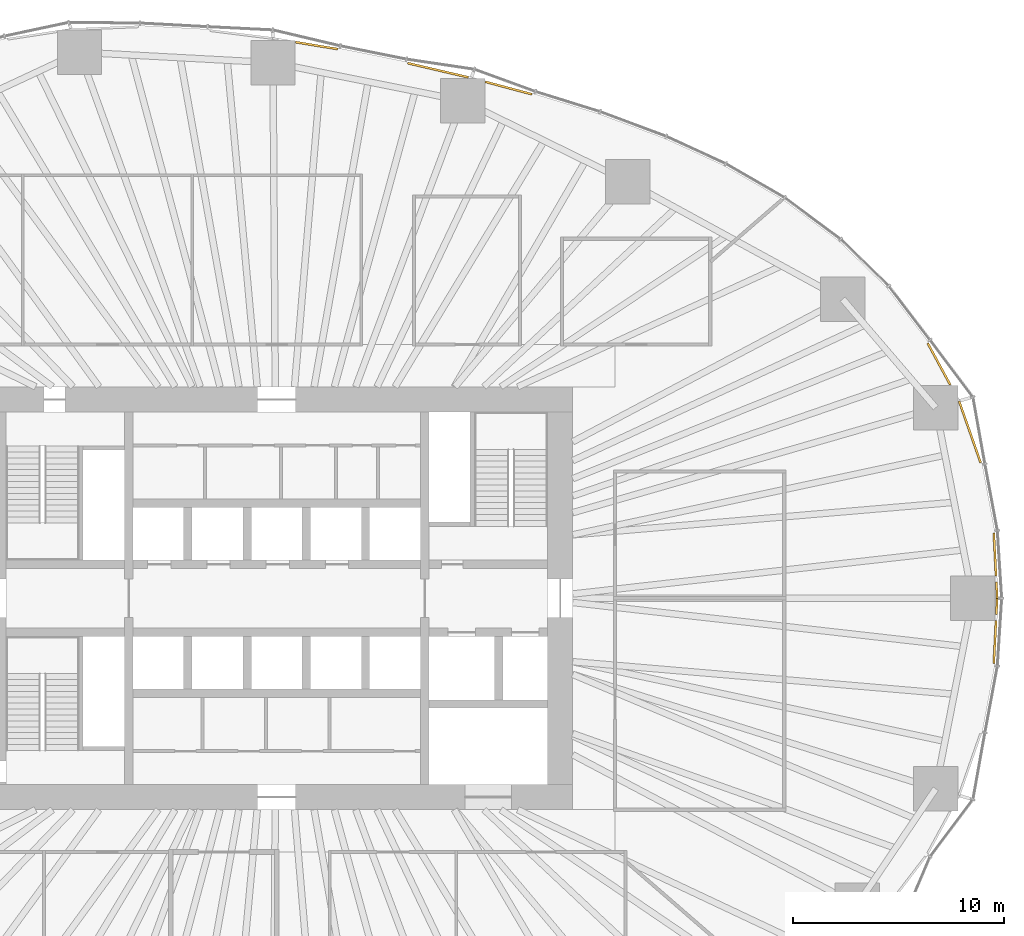
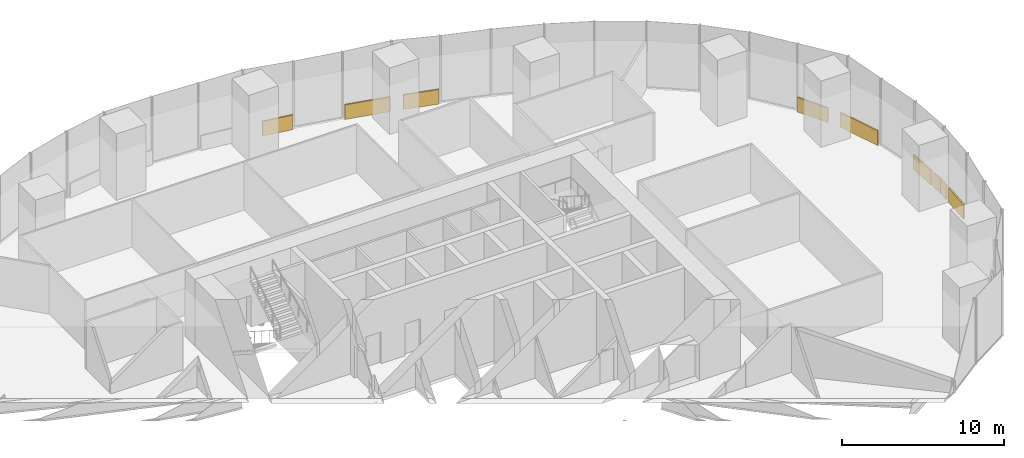
# One storey, part 20 of 20: 9 coverings.
"""IFC4 building model written with IfcOpenShell, lengths in metres."""

from ifc_helpers import new_model, si_unit, direction, frame, origin, origin_2d, place, context, subcontext, project, spatial, rectangle, extrude, material, layer, layer_set, type_object, element, save


model = new_model("IFC4")

# Units and contexts
model_context = context("Model", 3, precision=1e-05, world=origin(), true_north=direction((0.0, 1.0)))
body_context = subcontext(model_context, "Body", "Model", "MODEL_VIEW")
ifc_project = project(units=[si_unit("LENGTHUNIT", "METRE"), si_unit("AREAUNIT", "SQUARE_METRE"), si_unit("VOLUMEUNIT", "CUBIC_METRE"), si_unit("PLANEANGLEUNIT", "RADIAN"), si_unit("MASSUNIT", "GRAM", prefix="KILO")], contexts=[model_context])

# Site, building, storey
site_placement = place(None, origin())
site = spatial("IfcSite", under=ifc_project, at=site_placement, CompositionType="ELEMENT")
building_placement = place(site_placement, origin())
building = spatial("IfcBuilding", under=site, at=building_placement, Name="Ghaith Harvest Tower", CompositionType="ELEMENT")
storey_placement = place(building_placement, frame((0.0, 0.0, 35.0)))
storey = spatial("IfcBuildingStorey", under=building, at=storey_placement, Name="L07", CompositionType="ELEMENT", Elevation=35.0)

# Coverings
ifc_material = material(Name="Insulated aluminium spandrel panel on steel framing", Category="steel")
ifc_layer = layer(ifc_material, 0.10009765625)
ifc_layer_set = layer_set([ifc_layer], Name="SLAB EDGE UPSTAND 1100x100")
covering_type = type_object("IfcCoveringType", Name="SLAB EDGE UPSTAND 1100x100", PredefinedType="CLADDING", material=ifc_layer_set)
covering_1_placement = place(storey_placement, frame((34.054931640625, 0.38232421875, 0.0), z_axis=(0.0, 0.0, 1.0), x_axis=(-0.052048501689, 0.998644558125, 0.0)))
element("IfcCovering", 1, at=covering_1_placement, inside=storey, type_object=covering_type, Name="Slab edge upstand 1 bay 01 L07", PredefinedType="CLADDING", context=body_context, shape_type="SweptSolid", body=[
    extrude(rectangle(XDim=0.77099609375, YDim=0.10009765625, at=origin_2d()), origin(), (0.0, 0.0, 1.0), 1.10009765625),
])
covering_2_placement = place(storey_placement, frame((33.966796875, 2.0771484375, 0.0), z_axis=(0.0, 0.0, 1.0), x_axis=(-0.052048501689, 0.998644558125, 0.0)))
element("IfcCovering", 2, at=covering_2_placement, inside=storey, type_object=covering_type, Name="Slab edge upstand 1 bay 01 L07", PredefinedType="CLADDING", context=body_context, shape_type="SweptSolid", body=[
    extrude(rectangle(XDim=2.03173828125, YDim=0.10009765625, at=origin_2d()), origin(), (0.0, 0.0, 1.0), 1.10009765625),
])
covering_3_placement = place(storey_placement, frame((32.7822265625, 7.865234375, 0.0), z_axis=(0.0, 0.0, 1.0), x_axis=(-0.330597697022, 0.943771774702, 0.0)))
element("IfcCovering", 3, at=covering_3_placement, inside=storey, type_object=covering_type, Name="Slab edge upstand 3 bay 01 L07", PredefinedType="CLADDING", context=body_context, shape_type="SweptSolid", body=[
    extrude(rectangle(XDim=3.080078125, YDim=0.10009765625, at=origin_2d()), origin(), (0.0, 0.0, 1.0), 1.10009765625),
])
covering_4_placement = place(storey_placement, frame((31.32177734375, 11.075439453125, 0.0), z_axis=(0.0, 0.0, 1.0), x_axis=(-0.476349292539, 0.87925613532, 0.0)))
element("IfcCovering", 4, at=covering_4_placement, inside=storey, type_object=covering_type, Name="Slab edge upstand 1 bay 02 L07", PredefinedType="CLADDING", context=body_context, shape_type="SweptSolid", body=[
    extrude(rectangle(XDim=2.237548828125, YDim=0.10009765625, at=origin_2d()), origin(), (0.0, 0.0, 1.0), 1.10009765625),
])
covering_5_placement = place(storey_placement, frame((10.968994140625, 24.1298828125, 0.0), z_axis=(0.0, 0.0, 1.0), x_axis=(-0.9660243418, 0.258451099919, 0.0)))
element("IfcCovering", 5, at=covering_5_placement, inside=storey, type_object=covering_type, Name="Slab edge upstand 3 bay 04 L07", PredefinedType="CLADDING", context=body_context, shape_type="SweptSolid", body=[
    extrude(rectangle(XDim=2.27978515625, YDim=0.10009765625, at=origin_2d()), origin(), (0.0, 0.0, 1.0), 1.10009765625),
])
covering_6_placement = place(storey_placement, frame((7.627685546875, 24.971435546875, 0.0), z_axis=(0.0, 0.0, 1.0), x_axis=(-0.973634089594, 0.228115452305, 0.0)))
element("IfcCovering", 6, at=covering_6_placement, inside=storey, type_object=covering_type, Name="Slab edge upstand 1 bay 05 L07", PredefinedType="CLADDING", context=body_context, shape_type="SweptSolid", body=[
    extrude(rectangle(XDim=2.943359375, YDim=0.10009765625, at=origin_2d()), origin(), (0.0, 0.0, 1.0), 1.10009765625),
])
covering_7_placement = place(storey_placement, frame((1.891845703125, 26.135009765625, 0.0), z_axis=(0.0, 0.0, 1.0), x_axis=(-0.986716247541, 0.162453214305, 0.0)))
element("IfcCovering", 7, at=covering_7_placement, inside=storey, type_object=covering_type, Name="Slab edge upstand 3 bay 05 L07", PredefinedType="CLADDING", context=body_context, shape_type="SweptSolid", body=[
    extrude(rectangle(XDim=2.0205078125, YDim=0.10009765625, at=origin_2d()), origin(), (0.0, 0.0, 1.0), 1.10009765625),
])
covering_8_placement = place(storey_placement, frame((33.966796875, -2.0771484375, 0.0), z_axis=(0.0, 0.0, 1.0), x_axis=(0.052048501794, 0.998644558119, 0.0)))
element("IfcCovering", 8, at=covering_8_placement, inside=storey, type_object=covering_type, Name="Slab edge upstand 3 bay 20 L07", PredefinedType="CLADDING", context=body_context, shape_type="SweptSolid", body=[
    extrude(rectangle(XDim=2.03173828125, YDim=0.10009765625, at=origin_2d()), origin(), (0.0, 0.0, 1.0), 1.10009765625),
])
covering_9_placement = place(storey_placement, frame((34.054931640625, -0.38232421875, 0.0), z_axis=(0.0, 0.0, 1.0), x_axis=(0.052048501794, 0.998644558119, 0.0)))
element("IfcCovering", 9, at=covering_9_placement, inside=storey, type_object=covering_type, Name="Slab edge upstand 3 bay 20 L07", PredefinedType="CLADDING", context=body_context, shape_type="SweptSolid", body=[
    extrude(rectangle(XDim=0.77099609375, YDim=0.10009765625, at=origin_2d()), origin(), (0.0, 0.0, 1.0), 1.10009765625),
])

save(model, "model.ifc")
